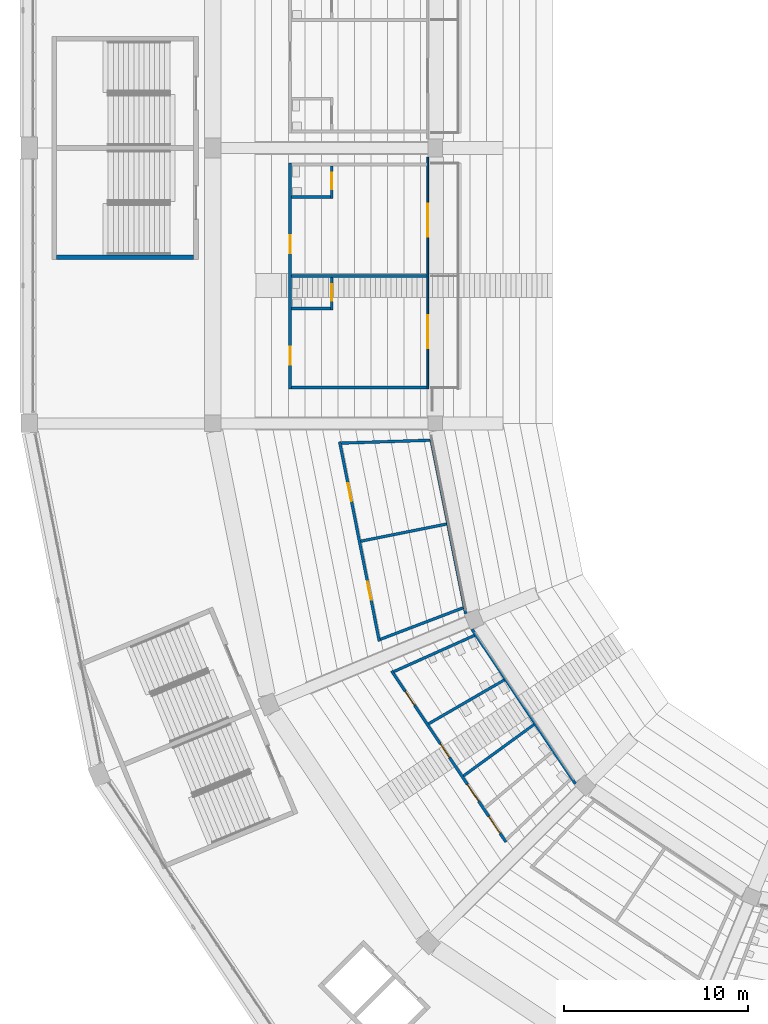
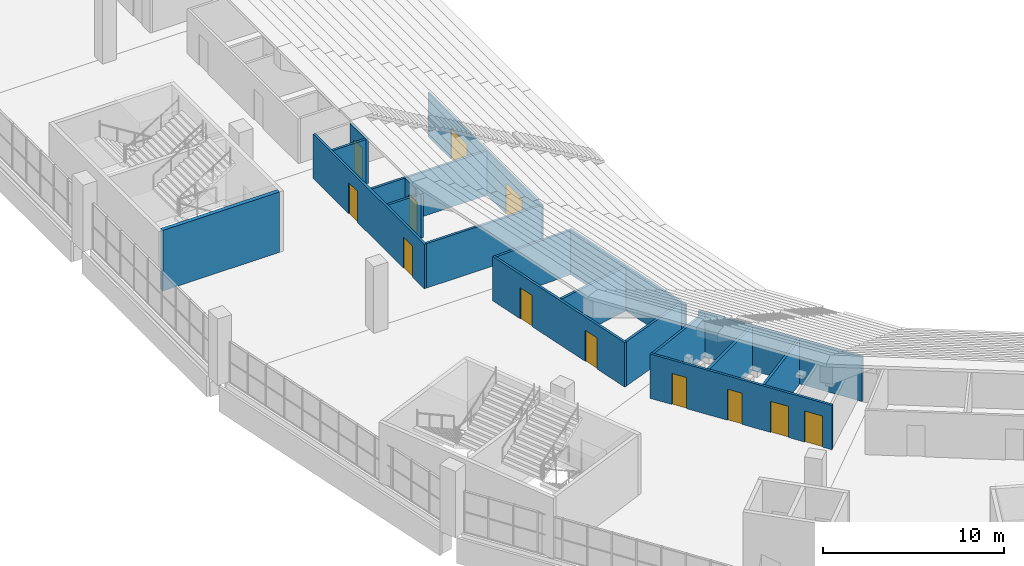
# One storey, part 86 of 249: 19 walls, 12 doors, 12 openings.
"""IFC4 building model written with IfcOpenShell, lengths in metres."""

from ifc_helpers import new_model, si_unit, direction, frame, frame_2d, origin, place, context, subcontext, project, spatial, rectangle, extrude, material, layer, layer_set, type_object, element, fill, save


model = new_model("IFC4")

# Units and contexts
model_context = context("Model", 3, precision=1e-05, world=origin(), true_north=direction((0.0, 1.0)))
body_context = subcontext(model_context, "Body", "Model", "MODEL_VIEW")
ifc_project = project(units=[si_unit("LENGTHUNIT", "METRE"), si_unit("AREAUNIT", "SQUARE_METRE"), si_unit("VOLUMEUNIT", "CUBIC_METRE"), si_unit("PLANEANGLEUNIT", "RADIAN"), si_unit("MASSUNIT", "GRAM", prefix="KILO")], contexts=[model_context])

# Site, building, storey
site_placement = place(None, origin())
site = spatial("IfcSite", under=ifc_project, at=site_placement, CompositionType="ELEMENT")
building_placement = place(site_placement, origin())
building = spatial("IfcBuilding", under=site, at=building_placement, Name="Ogive Plaza Stadium", CompositionType="ELEMENT")
storey_placement = place(building_placement, frame((0.0, 0.0, 13.5)))
storey = spatial("IfcBuildingStorey", under=building, at=storey_placement, Name="L03", CompositionType="ELEMENT", Elevation=13.5)

# Wall
ifc_material_1 = material(Name="Masonry blockwork", Category="masonry")
ifc_layer_1 = layer(ifc_material_1, 0.14990234375)
ifc_layer_set_1 = layer_set([ifc_layer_1], Name="Blockwork wall 150")
wall_type_1 = type_object("IfcWallType", Name="Blockwork wall 150", PredefinedType="SOLIDWALL", material=ifc_layer_set_1)
wall_1_placement = place(storey_placement, frame((-60.2353515625, -62.8798828125, 0.0), z_axis=(0.0, 0.0, 1.0), x_axis=(-0.19508210738, 0.98078691436, 0.0)))
element("IfcWall", 1, at=wall_1_placement, inside=storey, type_object=wall_type_1, Name="Wall L03 B20", PredefinedType="SOLIDWALL", context=body_context, shape_type="SweptSolid", body=[
    extrude(rectangle(XDim=9.7177734375, YDim=0.14990234375, at=frame_2d((4.85888671875, 0.0))), origin(), (0.0, 0.0, 1.0), 3.0),
])

# Wall, openings, doors
wall_2_placement = place(storey_placement, frame((-64.939208984375, -64.36865234375, 0.0), z_axis=(0.0, 0.0, 1.0), x_axis=(-0.195090821685, 0.980785181013, 0.0)))
wall_2 = element("IfcWall", 2, at=wall_2_placement, inside=storey, type_object=wall_type_1, Name="Wall L03 B20", PredefinedType="SOLIDWALL", context=body_context, shape_type="SweptSolid", body=[
    extrude(rectangle(XDim=11.08251953125, YDim=0.14990234375, at=frame_2d((5.541259765625, 0.0))), origin(), (0.0, 0.0, 1.0), 3.0),
])
opening_1_placement = place(wall_2_placement, frame((2.311279296875, 0.0, 0.0)))
opening_1 = element("IfcOpeningElement", 3, at=opening_1_placement, cuts=wall_2, Name="Opening D0821", PredefinedType="OPENING", context=body_context, shape_type="SweptSolid", body=[
    extrude(rectangle(XDim=1.0, YDim=2.10009765625, at=frame_2d((0.5, 1.050048828125))), frame((0.0, 0.074951171875, 0.0), z_axis=(0.0, -1.0, 0.0), x_axis=(1.0, 0.0, 0.0)), (0.0, 0.0, 1.0), 0.14990234375),
])
opening_2_placement = place(wall_2_placement, frame((7.771240234375, 0.0, 0.0)))
opening_2 = element("IfcOpeningElement", 4, at=opening_2_placement, cuts=wall_2, Name="Opening D0822", PredefinedType="OPENING", context=body_context, shape_type="SweptSolid", body=[
    extrude(rectangle(XDim=1.0, YDim=2.10009765625, at=frame_2d((0.5, 1.050048828125))), frame((0.0, 0.074951171875, 0.0), z_axis=(0.0, -1.0, 0.0), x_axis=(1.0, 0.0, 0.0)), (0.0, 0.0, 1.0), 0.14990234375),
])
ifc_material_2 = material(Name="Steel ASTM A572 Grade 50", Category="steel")
door_type_1 = type_object("IfcDoorType", Name="Fire door FD60 1000 x 2100", OperationType="SINGLE_SWING_LEFT", PredefinedType="DOOR", material=ifc_material_2)
door_1_placement = place(opening_1_placement, origin())
door_1 = element("IfcDoor", 5, at=door_1_placement, inside=storey, type_object=door_type_1, Name="Hospitality Pantry B20 door", OperationType="SINGLE_SWING_LEFT", OverallHeight=2.10009765625, OverallWidth=1.0, PredefinedType="DOOR", context=body_context, shape_type="SweptSolid", body=[
    extrude(rectangle(XDim=1.0, YDim=2.10009765625, at=frame_2d((0.5, 1.050048828125))), frame((0.0, 0.02490234375, 0.0), z_axis=(0.0, -1.0, 0.0), x_axis=(1.0, 0.0, 0.0)), (0.0, 0.0, 1.0), 0.050048828125),
])
fill(opening_1, door_1)
door_2_placement = place(opening_2_placement, origin())
door_2 = element("IfcDoor", 6, at=door_2_placement, inside=storey, type_object=door_type_1, Name="Hospitality Store B20 door", OperationType="SINGLE_SWING_RIGHT", OverallHeight=2.10009765625, OverallWidth=1.0, PredefinedType="DOOR", context=body_context, shape_type="SweptSolid", body=[
    extrude(rectangle(XDim=1.0, YDim=2.10009765625, at=frame_2d((0.5, 1.050048828125))), frame((0.0, 0.02490234375, 0.0), z_axis=(0.0, -1.0, 0.0), x_axis=(1.0, 0.0, 0.0)), (0.0, 0.0, 1.0), 0.050048828125),
])
fill(opening_2, door_2)

# Walls
wall_3_placement = place(storey_placement, frame((-60.376953125, -62.54541015625, 0.0), z_axis=(0.0, 0.0, 1.0), x_axis=(-0.934515791561, -0.355921670207, 0.0)))
element("IfcWall", 7, at=wall_3_placement, inside=storey, type_object=wall_type_1, Name="Wall L03 B20", PredefinedType="SOLIDWALL", context=body_context, shape_type="SweptSolid", body=[
    extrude(rectangle(XDim=4.82421875, YDim=0.14990234375, at=frame_2d((2.412109375, 0.0))), origin(), (0.0, 0.0, 1.0), 3.0),
])
wall_4_placement = place(storey_placement, frame((-61.284423828125, -57.982177734375, 0.0), z_axis=(0.0, 0.0, 1.0), x_axis=(-0.980408567663, -0.196974720342, 0.0)))
element("IfcWall", 8, at=wall_4_placement, inside=storey, type_object=wall_type_1, Name="Wall L03 B20", PredefinedType="SOLIDWALL", context=body_context, shape_type="SweptSolid", body=[
    extrude(rectangle(XDim=4.757080078125, YDim=0.14990234375, at=frame_2d((2.37841796875, 0.0))), origin(), (0.0, 0.0, 1.0), 3.0),
])
wall_5_placement = place(storey_placement, frame((-62.192138671875, -53.4189453125, 0.0), z_axis=(0.0, 0.0, 1.0), x_axis=(-0.999469799468, -0.032559483284, 0.0)))
element("IfcWall", 9, at=wall_5_placement, inside=storey, type_object=wall_type_1, Name="Wall L03 B20", PredefinedType="SOLIDWALL", context=body_context, shape_type="SweptSolid", body=[
    extrude(rectangle(XDim=4.8212890625, YDim=0.14990234375, at=frame_2d((2.41064453125, 0.0))), origin(), (0.0, 0.0, 1.0), 3.0),
])

# Wall, openings, doors
wall_6_placement = place(storey_placement, frame((-69.800048828125, -38.324951171875, 0.0), z_axis=(0.0, 0.0, 1.0), x_axis=(0.0, -1.0, 0.0)))
wall_6 = element("IfcWall", 10, at=wall_6_placement, inside=storey, type_object=wall_type_1, Name="Wall L03 B21", PredefinedType="SOLIDWALL", context=body_context, shape_type="SweptSolid", body=[
    extrude(rectangle(XDim=12.300048828125, YDim=0.14990234375, at=frame_2d((6.14990234375, 0.0))), origin(), (0.0, 0.0, 1.0), 3.0),
])
opening_3_placement = place(wall_6_placement, frame((3.916015625, 0.0, 0.0)))
opening_3 = element("IfcOpeningElement", 11, at=opening_3_placement, cuts=wall_6, Name="Opening D0823", PredefinedType="OPENING", context=body_context, shape_type="SweptSolid", body=[
    extrude(rectangle(XDim=1.0, YDim=2.10009765625, at=frame_2d((0.5, 1.050048828125))), frame((0.0, 0.074951171875, 0.0), z_axis=(0.0, -1.0, 0.0), x_axis=(1.0, 0.0, 0.0)), (0.0, 0.0, 1.0), 0.14990234375),
])
opening_4_placement = place(wall_6_placement, frame((9.990966796875, 0.0, 0.0)))
opening_4 = element("IfcOpeningElement", 12, at=opening_4_placement, cuts=wall_6, Name="Opening D0824", PredefinedType="OPENING", context=body_context, shape_type="SweptSolid", body=[
    extrude(rectangle(XDim=1.0, YDim=2.10009765625, at=frame_2d((0.5, 1.050048828125))), frame((0.0, 0.074951171875, 0.0), z_axis=(0.0, -1.0, 0.0), x_axis=(1.0, 0.0, 0.0)), (0.0, 0.0, 1.0), 0.14990234375),
])
ifc_material_3 = material(Name="Steel ASTM A572 Grade 50", Category="steel")
door_type_2 = type_object("IfcDoorType", Name="Fire door FD30S 1000 x 2100", OperationType="SINGLE_SWING_LEFT", PredefinedType="DOOR", material=ifc_material_3)
door_3_placement = place(opening_3_placement, origin())
door_3 = element("IfcDoor", 13, at=door_3_placement, inside=storey, type_object=door_type_2, Name="Hospitality Suite B21 door", OperationType="SINGLE_SWING_LEFT", OverallHeight=2.10009765625, OverallWidth=1.0, PredefinedType="DOOR", context=body_context, shape_type="SweptSolid", body=[
    extrude(rectangle(XDim=1.0, YDim=2.10009765625, at=frame_2d((0.5, 1.050048828125))), frame((0.0, 0.02490234375, 0.0), z_axis=(0.0, -1.0, 0.0), x_axis=(1.0, 0.0, 0.0)), (0.0, 0.0, 1.0), 0.050048828125),
])
fill(opening_3, door_3)
door_4_placement = place(opening_4_placement, origin())
door_4 = element("IfcDoor", 14, at=door_4_placement, inside=storey, type_object=door_type_2, Name="Hospitality Suite B21 door", OperationType="SINGLE_SWING_LEFT", OverallHeight=2.10009765625, OverallWidth=1.0, PredefinedType="DOOR", context=body_context, shape_type="SweptSolid", body=[
    extrude(rectangle(XDim=1.0, YDim=2.10009765625, at=frame_2d((0.5, 1.050048828125))), frame((0.0, 0.02490234375, 0.0), z_axis=(0.0, -1.0, 0.0), x_axis=(1.0, 0.0, 0.0)), (0.0, 0.0, 1.0), 0.050048828125),
])
fill(opening_4, door_4)

# Walls
for number, where, z_axis, x_axis, name in (
    (15, (-62.35009765625, -44.47509765625, 0.0), (0.0, 0.0, 1.0), (-1.0, 0.0, 0.0), "Wall L03 B21"),
    (16, (-62.35009765625, -50.550048828125, 0.0), (0.0, 0.0, 1.0), (-1.0, 0.0, 0.0), "Wall L03 B21"),
):
    element("IfcWall", number, at=place(storey_placement, frame(where, z_axis=z_axis, x_axis=x_axis)), inside=storey, type_object=wall_type_1, Name=name, PredefinedType="SOLIDWALL", context=body_context, shape_type="SweptSolid", body=[
        extrude(rectangle(XDim=7.375, YDim=0.14990234375, at=frame_2d((3.6875, 0.0))), origin(), (0.0, 0.0, 1.0), 3.0),
    ])
ifc_material_4 = material(Name="Concrete C40/50", Category="concrete")
ifc_layer_2 = layer(ifc_material_4, 0.25)
ifc_layer_set_2 = layer_set([ifc_layer_2], Name="Concrete C40/50")
wall_type_2 = type_object("IfcWallType", Name="Core wall 250", PredefinedType="SHEAR", material=ifc_layer_set_2)
wall_7_placement = place(storey_placement, frame((-75.050048828125, -43.449951171875, 0.0), z_axis=(0.0, 0.0, 1.0), x_axis=(-1.0, 0.0, 0.0)))
element("IfcWall", 17, at=wall_7_placement, inside=storey, type_object=wall_type_2, Name="Stair core R22 side wall", PredefinedType="SHEAR", context=body_context, shape_type="SweptSolid", body=[
    extrude(rectangle(XDim=7.4599609375, YDim=0.25, at=frame_2d((3.72998046875, 0.0))), origin(), (0.0, 0.0, 1.0), 4.090087890625),
])

# Wall, openings, doors
ifc_material_5 = material(Name="Laminated glass in aluminium frame", Category="aluminium")
ifc_layer_3 = layer(ifc_material_5, 0.10009765625)
ifc_layer_set_3 = layer_set([ifc_layer_3], Name="Glazed partition 100")
wall_type_3 = type_object("IfcWallType", Name="Glazed partition 100", PredefinedType="PARTITIONING", material=ifc_layer_set_3)
wall_8_placement = place(storey_placement, frame((-62.300048828125, -38.0, 0.0), z_axis=(0.0, 0.0, 1.0), x_axis=(0.0, -1.0, 0.0)))
wall_8 = element("IfcWall", 18, at=wall_8_placement, inside=storey, type_object=wall_type_3, Name="Wall L03 B21", PredefinedType="PARTITIONING", context=body_context, shape_type="SweptSolid", body=[
    extrude(rectangle(XDim=12.625, YDim=0.10009765625, at=frame_2d((6.3125, 0.0))), origin(), (0.0, 0.0, 1.0), 3.0),
])
opening_5_placement = place(wall_8_placement, frame((2.53759765625, 0.0, 0.0)))
opening_5 = element("IfcOpeningElement", 19, at=opening_5_placement, cuts=wall_8, Name="Opening D0825", PredefinedType="OPENING", context=body_context, shape_type="SweptSolid", body=[
    extrude(rectangle(XDim=1.800048828125, YDim=2.10009765625, at=frame_2d((0.89990234375, 1.050048828125))), frame((0.0, 0.050048828125, 0.0), z_axis=(0.0, -1.0, 0.0), x_axis=(1.0, 0.0, 0.0)), (0.0, 0.0, 1.0), 0.10009765625),
])
opening_6_placement = place(wall_8_placement, frame((8.612548828125, 0.0, 0.0)))
opening_6 = element("IfcOpeningElement", 20, at=opening_6_placement, cuts=wall_8, Name="Opening D0826", PredefinedType="OPENING", context=body_context, shape_type="SweptSolid", body=[
    extrude(rectangle(XDim=1.800048828125, YDim=2.10009765625, at=frame_2d((0.89990234375, 1.050048828125))), frame((0.0, 0.050048828125, 0.0), z_axis=(0.0, -1.0, 0.0), x_axis=(1.0, 0.0, 0.0)), (0.0, 0.0, 1.0), 0.10009765625),
])
ifc_material_6 = material(Name="Steel ASTM A572 Grade 50", Category="steel")
door_type_3 = type_object("IfcDoorType", Name="Door pair 1800 x 2100", OperationType="DOUBLE_DOOR_SINGLE_SWING", PredefinedType="DOOR", material=ifc_material_6)
door_5_placement = place(opening_5_placement, origin())
door_5 = element("IfcDoor", 21, at=door_5_placement, inside=storey, type_object=door_type_3, Name="Suite terrace door B21", OperationType="DOUBLE_DOOR_SINGLE_SWING", OverallHeight=2.10009765625, OverallWidth=1.800048828125, PredefinedType="DOOR", context=body_context, shape_type="SweptSolid", body=[
    extrude(rectangle(XDim=1.800048828125, YDim=2.10009765625, at=frame_2d((0.89990234375, 1.050048828125))), frame((0.0, 0.02490234375, 0.0), z_axis=(0.0, -1.0, 0.0), x_axis=(1.0, 0.0, 0.0)), (0.0, 0.0, 1.0), 0.050048828125),
])
fill(opening_5, door_5)
door_6_placement = place(opening_6_placement, origin())
door_6 = element("IfcDoor", 22, at=door_6_placement, inside=storey, type_object=door_type_3, Name="Suite terrace door B21", OperationType="DOUBLE_DOOR_SINGLE_SWING", OverallHeight=2.10009765625, OverallWidth=1.800048828125, PredefinedType="DOOR", context=body_context, shape_type="SweptSolid", body=[
    extrude(rectangle(XDim=1.800048828125, YDim=2.10009765625, at=frame_2d((0.89990234375, 1.050048828125))), frame((0.0, 0.02490234375, 0.0), z_axis=(0.0, -1.0, 0.0), x_axis=(1.0, 0.0, 0.0)), (0.0, 0.0, 1.0), 0.050048828125),
])
fill(opening_6, door_6)

# Wall
ifc_material_7 = material(Name="Gypsum board partition", Category="gypsum")
ifc_layer_4 = layer(ifc_material_7, 0.14990234375)
ifc_layer_set_4 = layer_set([ifc_layer_4], Name="Partition 150")
wall_type_4 = type_object("IfcWallType", Name="Partition 150", PredefinedType="PARTITIONING", material=ifc_layer_set_4)
wall_9_placement = place(storey_placement, frame((-59.890869140625, -63.71142578125, 0.0), z_axis=(0.0, 0.0, 1.0), x_axis=(0.555562437394, -0.83147482112, 0.0)))
element("IfcWall", 23, at=wall_9_placement, inside=storey, type_object=wall_type_4, Name="Wall L03 B19", PredefinedType="PARTITIONING", context=body_context, shape_type="SweptSolid", body=[
    extrude(rectangle(XDim=10.12451171875, YDim=0.14990234375, at=frame_2d((5.062255859375, 0.0))), origin(), (0.0, 0.0, 1.0), 3.0),
])

# Wall, openings, doors
wall_10_placement = place(storey_placement, frame((-64.26953125, -65.985107421875, 0.0), z_axis=(0.0, 0.0, 1.0), x_axis=(0.555569460176, -0.8314701287, 0.0)))
wall_10 = element("IfcWall", 24, at=wall_10_placement, inside=storey, type_object=wall_type_4, Name="Wall L03 B19", PredefinedType="PARTITIONING", context=body_context, shape_type="SweptSolid", body=[
    extrude(rectangle(XDim=11.208740234375, YDim=0.14990234375, at=frame_2d((5.6044921875, 0.0))), origin(), (0.0, 0.0, 1.0), 3.0),
])
opening_7_placement = place(wall_10_placement, frame((1.34326171875, 0.0, 0.0)))
opening_7 = element("IfcOpeningElement", 25, at=opening_7_placement, cuts=wall_10, Name="Opening D0817", PredefinedType="OPENING", context=body_context, shape_type="SweptSolid", body=[
    extrude(rectangle(XDim=0.89990234375, YDim=2.10009765625, at=frame_2d((0.449951171875, 1.050048828125))), frame((0.0, 0.074951171875, 0.0), z_axis=(0.0, -1.0, 0.0), x_axis=(1.0, 0.0, 0.0)), (0.0, 0.0, 1.0), 0.14990234375),
])
opening_8_placement = place(wall_10_placement, frame((4.767822265625, 0.0, 0.0)))
opening_8 = element("IfcOpeningElement", 26, at=opening_8_placement, cuts=wall_10, Name="Opening D0818", PredefinedType="OPENING", context=body_context, shape_type="SweptSolid", body=[
    extrude(rectangle(XDim=0.89990234375, YDim=2.10009765625, at=frame_2d((0.449951171875, 1.050048828125))), frame((0.0, 0.074951171875, 0.0), z_axis=(0.0, -1.0, 0.0), x_axis=(1.0, 0.0, 0.0)), (0.0, 0.0, 1.0), 0.14990234375),
])
opening_9_placement = place(wall_10_placement, frame((7.4296875, 0.0, 0.0)))
opening_9 = element("IfcOpeningElement", 27, at=opening_9_placement, cuts=wall_10, Name="Opening D0819", PredefinedType="OPENING", context=body_context, shape_type="SweptSolid", body=[
    extrude(rectangle(XDim=1.10009765625, YDim=2.10009765625, at=frame_2d((0.550048828125, 1.050048828125))), frame((0.0, 0.074951171875, 0.0), z_axis=(0.0, -1.0, 0.0), x_axis=(1.0, 0.0, 0.0)), (0.0, 0.0, 1.0), 0.14990234375),
])
opening_10_placement = place(wall_10_placement, frame((9.528564453125, 0.0, 0.0)))
opening_10 = element("IfcOpeningElement", 28, at=opening_10_placement, cuts=wall_10, Name="Opening D0820", PredefinedType="OPENING", context=body_context, shape_type="SweptSolid", body=[
    extrude(rectangle(XDim=1.10009765625, YDim=2.10009765625, at=frame_2d((0.550048828125, 1.050048828125))), frame((0.0, 0.074951171875, 0.0), z_axis=(0.0, -1.0, 0.0), x_axis=(1.0, 0.0, 0.0)), (0.0, 0.0, 1.0), 0.14990234375),
])
ifc_material_8 = material(Name="Steel ASTM A572 Grade 50", Category="steel")
door_type_4 = type_object("IfcDoorType", Name="Accessible door 1100 x 2100", OperationType="SINGLE_SWING_LEFT", PredefinedType="DOOR", material=ifc_material_8)
door_7_placement = place(opening_9_placement, origin())
door_7 = element("IfcDoor", 29, at=door_7_placement, inside=storey, type_object=door_type_4, Name="Accessible WC B19 door", OperationType="SINGLE_SWING_LEFT", OverallHeight=2.10009765625, OverallWidth=1.10009765625, PredefinedType="DOOR", context=body_context, shape_type="SweptSolid", body=[
    extrude(rectangle(XDim=1.10009765625, YDim=2.10009765625, at=frame_2d((0.550048828125, 1.050048828125))), frame((0.0, 0.02490234375, 0.0), z_axis=(0.0, -1.0, 0.0), x_axis=(1.0, 0.0, 0.0)), (0.0, 0.0, 1.0), 0.050048828125),
])
fill(opening_9, door_7)
door_8_placement = place(opening_10_placement, origin())
door_8 = element("IfcDoor", 30, at=door_8_placement, inside=storey, type_object=door_type_4, Name="Family WC B19 door", OperationType="SINGLE_SWING_LEFT", OverallHeight=2.10009765625, OverallWidth=1.10009765625, PredefinedType="DOOR", context=body_context, shape_type="SweptSolid", body=[
    extrude(rectangle(XDim=1.10009765625, YDim=2.10009765625, at=frame_2d((0.550048828125, 1.050048828125))), frame((0.0, 0.02490234375, 0.0), z_axis=(0.0, -1.0, 0.0), x_axis=(1.0, 0.0, 0.0)), (0.0, 0.0, 1.0), 0.050048828125),
])
fill(opening_10, door_8)
ifc_material_9 = material(Name="Steel ASTM A572 Grade 50", Category="steel")
door_type_5 = type_object("IfcDoorType", Name="Door 900 x 2100", OperationType="SINGLE_SWING_LEFT", PredefinedType="DOOR", material=ifc_material_9)
door_9_placement = place(opening_7_placement, origin())
door_9 = element("IfcDoor", 31, at=door_9_placement, inside=storey, type_object=door_type_5, Name="Men's Toilet B19 door", OperationType="SINGLE_SWING_RIGHT", OverallHeight=2.10009765625, OverallWidth=0.89990234375, PredefinedType="DOOR", context=body_context, shape_type="SweptSolid", body=[
    extrude(rectangle(XDim=0.89990234375, YDim=2.10009765625, at=frame_2d((0.449951171875, 1.050048828125))), frame((0.0, 0.02490234375, 0.0), z_axis=(0.0, -1.0, 0.0), x_axis=(1.0, 0.0, 0.0)), (0.0, 0.0, 1.0), 0.050048828125),
])
fill(opening_7, door_9)
door_10_placement = place(opening_8_placement, origin())
door_10 = element("IfcDoor", 32, at=door_10_placement, inside=storey, type_object=door_type_5, Name="Women's Toilet B19 door", OperationType="SINGLE_SWING_RIGHT", OverallHeight=2.10009765625, OverallWidth=0.89990234375, PredefinedType="DOOR", context=body_context, shape_type="SweptSolid", body=[
    extrude(rectangle(XDim=0.89990234375, YDim=2.10009765625, at=frame_2d((0.449951171875, 1.050048828125))), frame((0.0, 0.02490234375, 0.0), z_axis=(0.0, -1.0, 0.0), x_axis=(1.0, 0.0, 0.0)), (0.0, 0.0, 1.0), 0.050048828125),
])
fill(opening_8, door_10)

# Walls
wall_11_placement = place(storey_placement, frame((-59.75439453125, -64.048095703125, 0.0), z_axis=(0.0, 0.0, 1.0), x_axis=(-0.912468935825, -0.409145990025, 0.0)))
element("IfcWall", 33, at=wall_11_placement, inside=storey, type_object=wall_type_4, Name="Wall L03 B19", PredefinedType="PARTITIONING", context=body_context, shape_type="SweptSolid", body=[
    extrude(rectangle(XDim=4.824462890625, YDim=0.14990234375, at=frame_2d((2.412109375, 0.0))), origin(), (0.0, 0.0, 1.0), 3.0),
])
wall_12_placement = place(storey_placement, frame((-58.13330078125, -66.474365234375, 0.0), z_axis=(0.0, 0.0, 1.0), x_axis=(-0.865401737421, -0.501078669341, 0.0)))
element("IfcWall", 34, at=wall_12_placement, inside=storey, type_object=wall_type_4, Name="Wall L03 B19", PredefinedType="PARTITIONING", context=body_context, shape_type="SweptSolid", body=[
    extrude(rectangle(XDim=4.7666015625, YDim=0.14990234375, at=frame_2d((2.38330078125, 0.0))), origin(), (0.0, 0.0, 1.0), 3.0),
])
wall_13_placement = place(storey_placement, frame((-56.511962890625, -68.900634765625, 0.0), z_axis=(0.0, 0.0, 1.0), x_axis=(-0.808261251336, -0.588824039581, 0.0)))
element("IfcWall", 35, at=wall_13_placement, inside=storey, type_object=wall_type_4, Name="Wall L03 B19", PredefinedType="PARTITIONING", context=body_context, shape_type="SweptSolid", body=[
    extrude(rectangle(XDim=4.7607421875, YDim=0.14990234375, at=frame_2d((2.38037109375, 0.0))), origin(), (0.0, 0.0, 1.0), 3.0),
])

# Wall, opening, door
wall_14_placement = place(storey_placement, frame((-67.52490234375, -38.47509765625, 0.0), z_axis=(0.0, 0.0, 1.0), x_axis=(0.0, -1.0, 0.0)))
wall_14 = element("IfcWall", 36, at=wall_14_placement, inside=storey, type_object=wall_type_4, Name="Wall L03 B21", PredefinedType="PARTITIONING", context=body_context, shape_type="SweptSolid", body=[
    extrude(rectangle(XDim=1.77490234375, YDim=0.14990234375, at=frame_2d((0.887451171875, 0.0))), origin(), (0.0, 0.0, 1.0), 3.0),
])
opening_11_placement = place(wall_14_placement, frame((0.362548828125, 0.0, 0.0)))
opening_11 = element("IfcOpeningElement", 37, at=opening_11_placement, cuts=wall_14, Name="Opening D0827", PredefinedType="OPENING", context=body_context, shape_type="SweptSolid", body=[
    extrude(rectangle(XDim=0.89990234375, YDim=2.10009765625, at=frame_2d((0.449951171875, 1.050048828125))), frame((0.0, 0.074951171875, 0.0), z_axis=(0.0, -1.0, 0.0), x_axis=(1.0, 0.0, 0.0)), (0.0, 0.0, 1.0), 0.14990234375),
])
door_11_placement = place(opening_11_placement, origin())
door_11 = element("IfcDoor", 38, at=door_11_placement, inside=storey, type_object=door_type_5, Name="Suite WC B21 door", OperationType="SINGLE_SWING_RIGHT", OverallHeight=2.10009765625, OverallWidth=0.89990234375, PredefinedType="DOOR", context=body_context, shape_type="SweptSolid", body=[
    extrude(rectangle(XDim=0.89990234375, YDim=2.10009765625, at=frame_2d((0.449951171875, 1.050048828125))), frame((0.0, 0.02490234375, 0.0), z_axis=(0.0, -1.0, 0.0), x_axis=(1.0, 0.0, 0.0)), (0.0, 0.0, 1.0), 0.050048828125),
])
fill(opening_11, door_11)

# Wall
wall_15_placement = place(storey_placement, frame((-67.60009765625, -40.175048828125, 0.0), z_axis=(0.0, 0.0, 1.0), x_axis=(-1.0, 0.0, 0.0)))
element("IfcWall", 39, at=wall_15_placement, inside=storey, type_object=wall_type_4, Name="Wall L03 B21", PredefinedType="PARTITIONING", context=body_context, shape_type="SweptSolid", body=[
    extrude(rectangle(XDim=2.125, YDim=0.14990234375, at=frame_2d((1.0625, 0.0))), origin(), (0.0, 0.0, 1.0), 3.0),
])

# Wall, opening, door
wall_16_placement = place(storey_placement, frame((-67.52490234375, -44.550048828125, 0.0), z_axis=(0.0, 0.0, 1.0), x_axis=(0.0, -1.0, 0.0)))
wall_16 = element("IfcWall", 40, at=wall_16_placement, inside=storey, type_object=wall_type_4, Name="Wall L03 B21", PredefinedType="PARTITIONING", context=body_context, shape_type="SweptSolid", body=[
    extrude(rectangle(XDim=1.77490234375, YDim=0.14990234375, at=frame_2d((0.887451171875, 0.0))), origin(), (0.0, 0.0, 1.0), 3.0),
])
opening_12_placement = place(wall_16_placement, frame((0.362548828125, 0.0, 0.0)))
opening_12 = element("IfcOpeningElement", 41, at=opening_12_placement, cuts=wall_16, Name="Opening D0828", PredefinedType="OPENING", context=body_context, shape_type="SweptSolid", body=[
    extrude(rectangle(XDim=0.89990234375, YDim=2.10009765625, at=frame_2d((0.449951171875, 1.050048828125))), frame((0.0, 0.074951171875, 0.0), z_axis=(0.0, -1.0, 0.0), x_axis=(1.0, 0.0, 0.0)), (0.0, 0.0, 1.0), 0.14990234375),
])
door_12_placement = place(opening_12_placement, origin())
door_12 = element("IfcDoor", 42, at=door_12_placement, inside=storey, type_object=door_type_5, Name="Suite WC B21 door", OperationType="SINGLE_SWING_LEFT", OverallHeight=2.10009765625, OverallWidth=0.89990234375, PredefinedType="DOOR", context=body_context, shape_type="SweptSolid", body=[
    extrude(rectangle(XDim=0.89990234375, YDim=2.10009765625, at=frame_2d((0.449951171875, 1.050048828125))), frame((0.0, 0.02490234375, 0.0), z_axis=(0.0, -1.0, 0.0), x_axis=(1.0, 0.0, 0.0)), (0.0, 0.0, 1.0), 0.050048828125),
])
fill(opening_12, door_12)

# Wall
wall_17_placement = place(storey_placement, frame((-67.60009765625, -46.25, 0.0), z_axis=(0.0, 0.0, 1.0), x_axis=(-1.0, 0.0, 0.0)))
element("IfcWall", 43, at=wall_17_placement, inside=storey, type_object=wall_type_4, Name="Wall L03 B21", PredefinedType="PARTITIONING", context=body_context, shape_type="SweptSolid", body=[
    extrude(rectangle(XDim=2.125, YDim=0.14990234375, at=frame_2d((1.0625, 0.0))), origin(), (0.0, 0.0, 1.0), 3.0),
])

save(model, "model.ifc")
